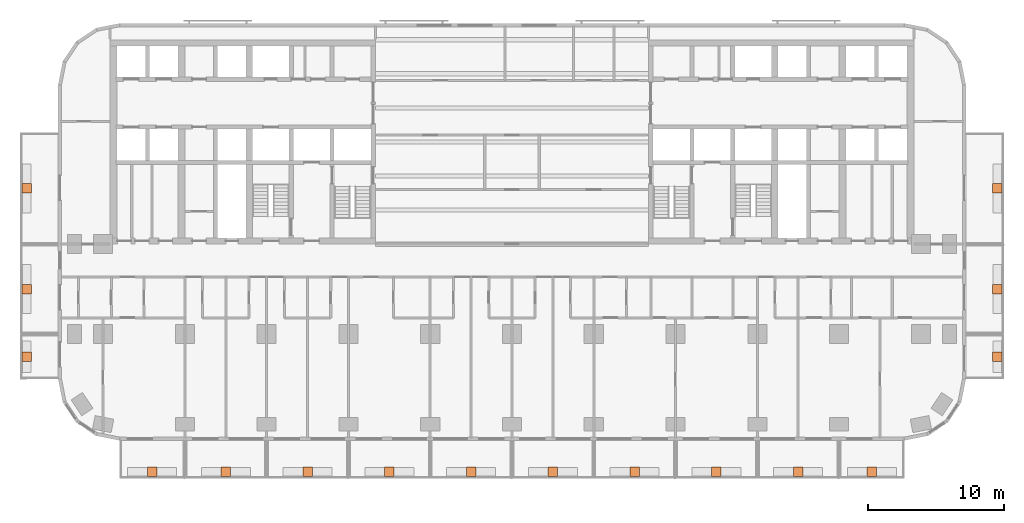
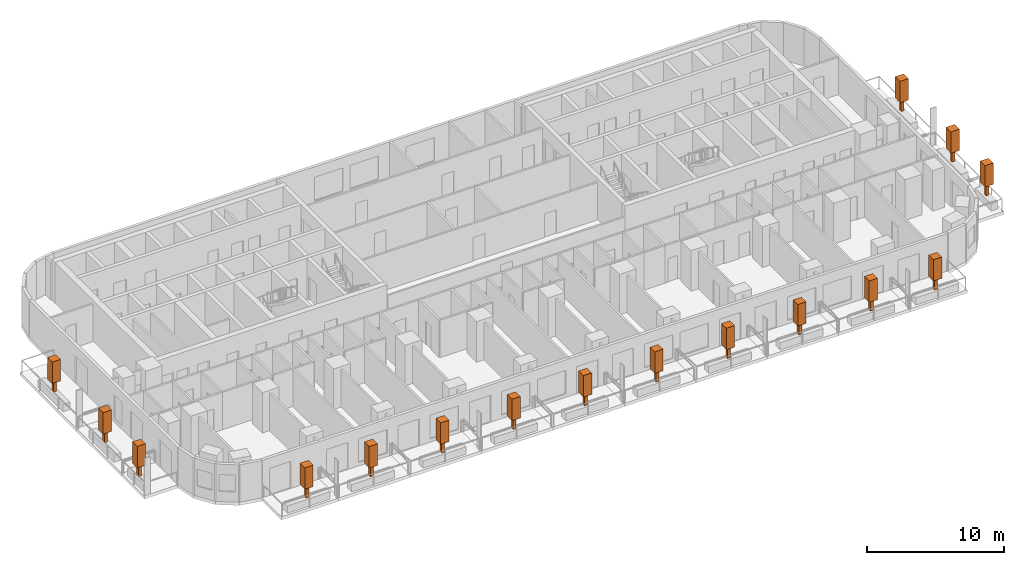
# One storey, part 15 of 15: 16 geographic elements.
"""IFC4 building model written with IfcOpenShell, lengths in metres."""

from ifc_helpers import new_model, si_unit, direction, frame, origin, origin_2d, place, context, subcontext, project, spatial, rectangle, extrude, material, element, save


model = new_model("IFC4")

# Units and contexts
model_context = context("Model", 3, precision=1e-05, world=origin(), true_north=direction((0.0, 1.0)))
body_context = subcontext(model_context, "Body", "Model", "MODEL_VIEW")
ifc_project = project(units=[si_unit("LENGTHUNIT", "METRE"), si_unit("AREAUNIT", "SQUARE_METRE"), si_unit("VOLUMEUNIT", "CUBIC_METRE"), si_unit("PLANEANGLEUNIT", "RADIAN"), si_unit("MASSUNIT", "GRAM", prefix="KILO")], contexts=[model_context])

# Site, building, storey
site_placement = place(None, origin())
site = spatial("IfcSite", under=ifc_project, at=site_placement, CompositionType="ELEMENT")
building_placement = place(site_placement, origin())
building = spatial("IfcBuilding", under=site, at=building_placement, Name="Torana Hotel and Residences", CompositionType="ELEMENT")
storey_placement = place(building_placement, frame((0.0, 0.0, 49.199951171875)))
storey = spatial("IfcBuildingStorey", under=building, at=storey_placement, Name="L11", CompositionType="ELEMENT", Elevation=49.199951171875)

# Geographic elements
ifc_material = material(Name="Foliage", Category="planting")
for number, where, z_axis, x_axis, name in (
    (1, (-26.39990234375, -31.699951171875, 0.650146484375), (0.0, 0.0, 1.0), (1.0, 0.0, 0.0), "Tree 01"),
    (2, (-21.0, -31.699951171875, 0.650146484375), (0.0, 0.0, 1.0), (1.0, 0.0, 0.0), "Tree 02"),
    (3, (-15.0, -31.699951171875, 0.650146484375), (0.0, 0.0, 1.0), (1.0, 0.0, 0.0), "Tree 03"),
    (4, (-9.0, -31.699951171875, 0.650146484375), (0.0, 0.0, 1.0), (1.0, 0.0, 0.0), "Tree 04"),
    (5, (-3.0, -31.699951171875, 0.650146484375), (0.0, 0.0, 1.0), (1.0, 0.0, 0.0), "Tree 05"),
    (6, (3.0, -31.699951171875, 0.650146484375), (0.0, 0.0, 1.0), (1.0, 0.0, 0.0), "Tree 06"),
    (7, (9.0, -31.699951171875, 0.650146484375), (0.0, 0.0, 1.0), (1.0, 0.0, 0.0), "Tree 07"),
    (8, (15.0, -31.699951171875, 0.650146484375), (0.0, 0.0, 1.0), (1.0, 0.0, 0.0), "Tree 08"),
    (9, (21.0, -31.699951171875, 0.650146484375), (0.0, 0.0, 1.0), (1.0, 0.0, 0.0), "Tree 09"),
    (10, (26.39990234375, -31.699951171875, 0.650146484375), (0.0, 0.0, 1.0), (1.0, 0.0, 0.0), "Tree 10"),
    (11, (-35.60009765625, -23.25, 0.650146484375), (0.0, 0.0, 1.0), (1.0, 0.0, 0.0), "Tree 11"),
    (12, (-35.60009765625, -18.300048828125, 0.650146484375), (0.0, 0.0, 1.0), (1.0, 0.0, 0.0), "Tree 12"),
    (13, (-35.60009765625, -10.89990234375, 0.650146484375), (0.0, 0.0, 1.0), (1.0, 0.0, 0.0), "Tree 13"),
    (14, (35.60009765625, -23.25, 0.650146484375), (0.0, 0.0, 1.0), (1.0, 0.0, 0.0), "Tree 14"),
    (15, (35.60009765625, -18.300048828125, 0.650146484375), (0.0, 0.0, 1.0), (1.0, 0.0, 0.0), "Tree 15"),
    (16, (35.60009765625, -10.89990234375, 0.650146484375), (0.0, 0.0, 1.0), (1.0, 0.0, 0.0), "Tree 16"),
):
    element("IfcGeographicElement", number, at=place(storey_placement, frame(where, z_axis=z_axis, x_axis=x_axis)), inside=storey, material=ifc_material, Name=name, ObjectType="TREE", PredefinedType="USERDEFINED", context=body_context, shape_type="SweptSolid", body=[
        extrude(rectangle(XDim=0.25, YDim=0.25, at=origin_2d()), origin(), (0.0, 0.0, 1.0), 1.0),
        extrude(rectangle(XDim=0.699951171875, YDim=0.699951171875, at=origin_2d()), frame((0.0, 0.0, 1.0)), (0.0, 0.0, 1.0), 1.89990234375),
    ])

save(model, "model.ifc")
